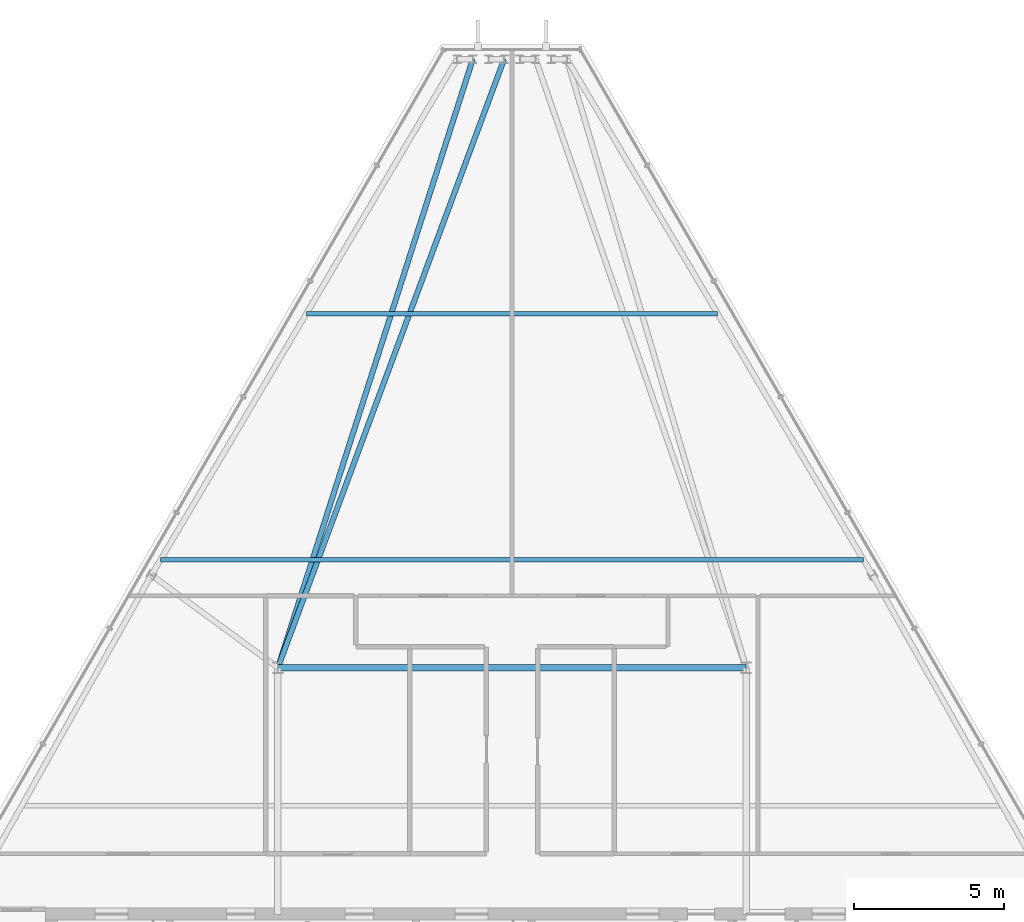
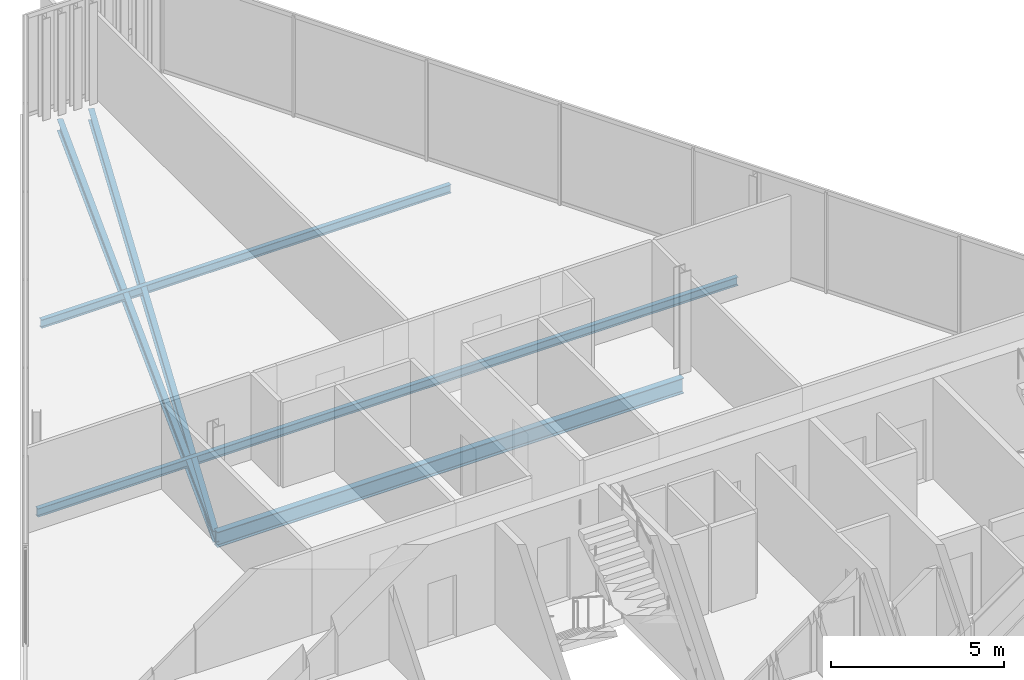
# One storey, part 16 of 32: 5 beams.
"""IFC4 building model written with IfcOpenShell, lengths in metres."""

from ifc_helpers import new_model, si_unit, direction, frame, origin, origin_2d, place, context, subcontext, project, spatial, i_section, extrude, material, material_profile, profile_set, type_object, element, save


model = new_model("IFC4")

# Units and contexts
model_context = context("Model", 3, precision=1e-05, world=origin(), true_north=direction((0.0, 1.0)))
body_context = subcontext(model_context, "Body", "Model", "MODEL_VIEW")
ifc_project = project(units=[si_unit("LENGTHUNIT", "METRE"), si_unit("AREAUNIT", "SQUARE_METRE"), si_unit("VOLUMEUNIT", "CUBIC_METRE"), si_unit("PLANEANGLEUNIT", "RADIAN"), si_unit("MASSUNIT", "GRAM", prefix="KILO")], contexts=[model_context])

# Site, building, storey
site_placement = place(None, origin())
site = spatial("IfcSite", under=ifc_project, at=site_placement, CompositionType="ELEMENT")
building_placement = place(site_placement, origin())
building = spatial("IfcBuilding", under=site, at=building_placement, Name="Ndaravel Arena Tower", CompositionType="ELEMENT")
storey_placement = place(building_placement, frame((0.0, 0.0, 287.10009765625)))
storey = spatial("IfcBuildingStorey", under=building, at=storey_placement, Name="L70", CompositionType="ELEMENT", Elevation=287.10009765625)

# Beams
ifc_material_1 = material(Name="Steel S355", Category="steel")
ifc_material_profile_1 = material_profile(ifc_material_1, i_section(OverallWidth=0.1787109375, OverallDepth=0.409423828125, WebThickness=0.0087890625, FlangeThickness=0.014404296875, FilletRadius=0.01025390625, at=origin_2d()), Name="UB 406x178x67")
ifc_profile_set_1 = profile_set([ifc_material_profile_1], Name="Steel S355")
beam_type_1 = type_object("IfcBeamType", Name="BM-GIRD-UB406", PredefinedType="BEAM", material=ifc_profile_set_1)
beam_1_placement = place(storey_placement, frame((41.739013671875, 43.477783203125, -0.4248046875), z_axis=(-0.348482886896, -0.93731514313, 0.0), x_axis=(0.93731514313, -0.348482886896, 0.0)))
element("IfcBeam", 1, at=beam_1_placement, inside=storey, type_object=beam_type_1, Name="L70 Radial Floor Girder FG-15", PredefinedType="BEAM", context=body_context, shape_type="SweptSolid", body=[
    extrude(i_section(OverallWidth=0.1787109375, OverallDepth=0.409423828125, WebThickness=0.0087890625, FlangeThickness=0.014404296875, FilletRadius=0.01025390625, at=origin_2d()), origin(), (0.0, 0.0, 1.0), 21.634033203125),
])
beam_2_placement = place(storey_placement, frame((40.6953125, 43.477783203125, -0.4248046875), z_axis=(-0.305050713345, -0.952336107836, 0.0), x_axis=(0.952336107836, -0.305050713345, 0.0)))
element("IfcBeam", 2, at=beam_2_placement, inside=storey, type_object=beam_type_1, Name="L70 Radial Floor Girder FG-17", PredefinedType="BEAM", context=body_context, shape_type="SweptSolid", body=[
    extrude(i_section(OverallWidth=0.1787109375, OverallDepth=0.409423828125, WebThickness=0.0087890625, FlangeThickness=0.014404296875, FilletRadius=0.01025390625, at=origin_2d()), origin(), (0.0, 0.0, 1.0), 21.292724609375),
])
ifc_material_2 = material(Name="Steel S355", Category="steel")
ifc_material_profile_2 = material_profile(ifc_material_2, i_section(OverallWidth=0.210693359375, OverallDepth=0.53955078125, WebThickness=0.01171875, FlangeThickness=0.018798828125, FilletRadius=0.0126953125, at=origin_2d()), Name="UB 533x210x109")
ifc_profile_set_2 = profile_set([ifc_material_profile_2], Name="Steel S355")
beam_type_2 = type_object("IfcBeamType", Name="BM-GIRD-UB533", PredefinedType="BEAM", material=ifc_profile_set_2)
beam_3_placement = place(storey_placement, frame((34.199951171875, 23.199951171875, -0.48974609375), z_axis=(1.0, 0.0, 0.0), x_axis=(0.0, 1.0, 0.0)))
element("IfcBeam", 3, at=beam_3_placement, inside=storey, type_object=beam_type_2, Name="L70 Spine Link Girder SLG-03", PredefinedType="BEAM", context=body_context, shape_type="SweptSolid", body=[
    extrude(i_section(OverallWidth=0.210693359375, OverallDepth=0.53955078125, WebThickness=0.01171875, FlangeThickness=0.018798828125, FilletRadius=0.0126953125, at=origin_2d()), origin(), (0.0, 0.0, 1.0), 15.60009765625),
])
ifc_material_3 = material(Name="Steel S355", Category="steel")
ifc_material_profile_3 = material_profile(ifc_material_3, i_section(OverallWidth=0.14990234375, OverallDepth=0.300048828125, WebThickness=0.007080078125, FlangeThickness=0.0107421875, FilletRadius=0.014892578125, at=origin_2d()), Name="IPE 300")
ifc_profile_set_3 = profile_set([ifc_material_profile_3], Name="Steel S355")
beam_type_3 = type_object("IfcBeamType", Name="BM-JOIST-IPE300", PredefinedType="JOIST", material=ifc_profile_set_3)
beam_4_placement = place(storey_placement, frame((30.291259765625, 26.800048828125, -0.3701171875), z_axis=(1.0, 0.0, 0.0), x_axis=(0.0, 1.0, 0.0)))
element("IfcBeam", 4, at=beam_4_placement, inside=storey, type_object=beam_type_3, Name="L70 Composite Floor Joist FJ-02", PredefinedType="JOIST", context=body_context, shape_type="SweptSolid", body=[
    extrude(i_section(OverallWidth=0.14990234375, OverallDepth=0.300048828125, WebThickness=0.007080078125, FlangeThickness=0.0107421875, FilletRadius=0.014892578125, at=origin_2d()), origin(), (0.0, 0.0, 1.0), 23.41748046875),
])
beam_5_placement = place(storey_placement, frame((35.14990234375, 35.0, -0.3701171875), z_axis=(1.0, 0.0, 0.0), x_axis=(0.0, 1.0, 0.0)))
element("IfcBeam", 5, at=beam_5_placement, inside=storey, type_object=beam_type_3, Name="L70 Composite Floor Joist FJ-03", PredefinedType="JOIST", context=body_context, shape_type="SweptSolid", body=[
    extrude(i_section(OverallWidth=0.14990234375, OverallDepth=0.300048828125, WebThickness=0.007080078125, FlangeThickness=0.0107421875, FilletRadius=0.014892578125, at=origin_2d()), origin(), (0.0, 0.0, 1.0), 13.7001953125),
])

save(model, "model.ifc")
